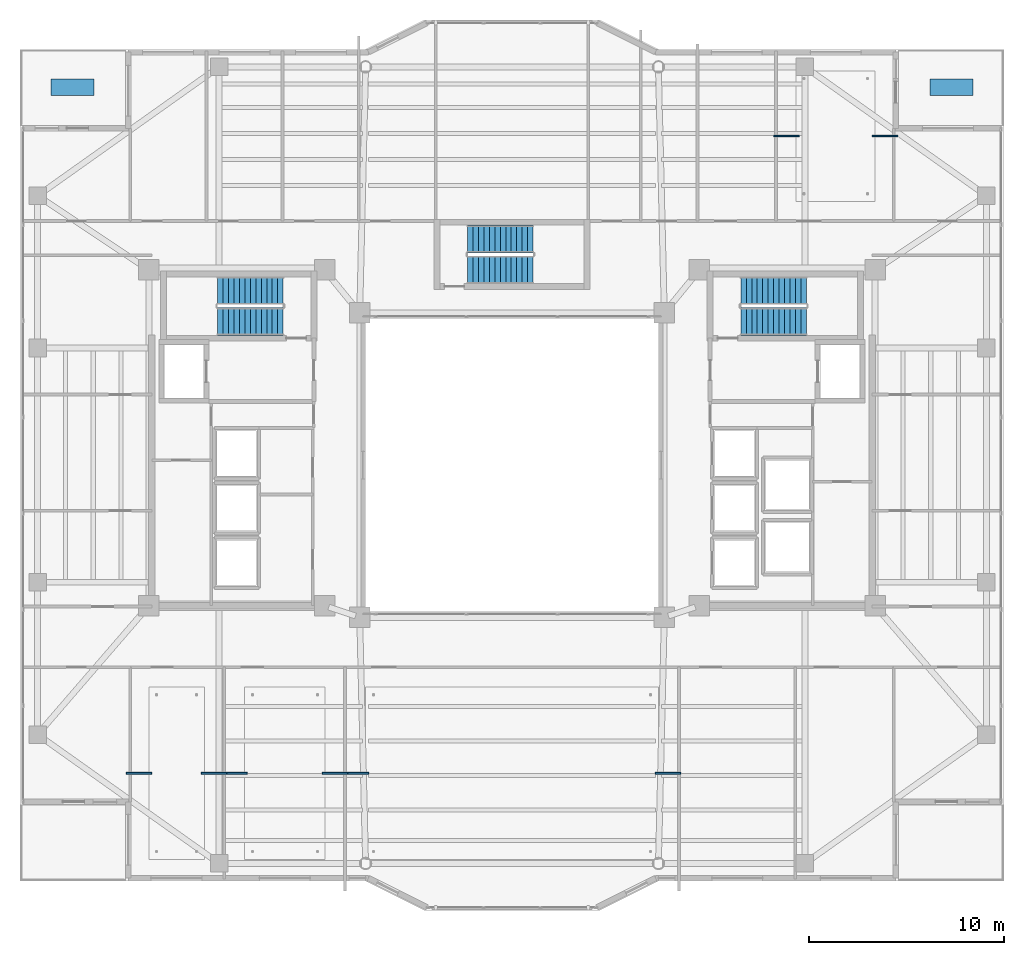
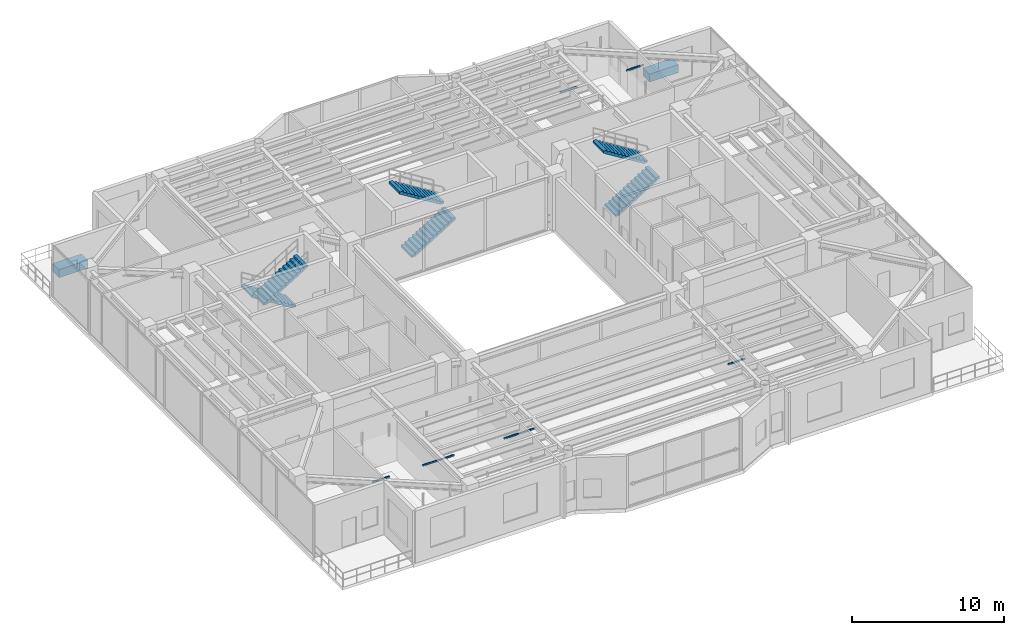
# One storey, part 27 of 33: 10 discrete accessories, 6 stair flights, 3 elements without a shape of their own.
"""IFC4 building model written with IfcOpenShell, lengths in metres."""

from ifc_helpers import new_model, si_unit, direction, frame, origin, origin_2d, place, context, subcontext, project, spatial, polyline, rectangle, outline, extrude, material, type_object, element, aggregate, save


model = new_model("IFC4")

# Units and contexts
model_context = context("Model", 3, precision=1e-05, world=origin(), true_north=direction((0.0, 1.0)))
body_context = subcontext(model_context, "Body", "Model", "MODEL_VIEW")
ifc_project = project(units=[si_unit("LENGTHUNIT", "METRE"), si_unit("AREAUNIT", "SQUARE_METRE"), si_unit("VOLUMEUNIT", "CUBIC_METRE"), si_unit("PLANEANGLEUNIT", "RADIAN"), si_unit("MASSUNIT", "GRAM", prefix="KILO")], contexts=[model_context])

# Site, building, storey
site_placement = place(None, origin())
site = spatial("IfcSite", under=ifc_project, at=site_placement, CompositionType="ELEMENT")
building_placement = place(site_placement, origin())
building = spatial("IfcBuilding", under=site, at=building_placement, Name="Tarnavaz Court Tower", CompositionType="ELEMENT")
storey_placement = place(building_placement, frame((0.0, 0.0, 172.800048828125)))
storey = spatial("IfcBuildingStorey", under=building, at=storey_placement, Name="L47", CompositionType="ELEMENT", Elevation=172.800048828125)

# Stair, stair flights
ifc_material_1 = material(Name="Concrete C40/50", Category="concrete")
stair_type = type_object("IfcStairType", Name="ST-TWR-26R", PredefinedType="HALF_TURN_STAIR", material=ifc_material_1)
stair_1_placement = place(storey_placement, origin())
stair_1 = element("IfcStair", 1, at=stair_1_placement, inside=storey, type_object=stair_type, Name="L47 West Core Pressurized Exit Stair ST-W1", PredefinedType="HALF_TURN_STAIR")
stair_flight_type = type_object("IfcStairFlightType", Name="SFL-RC-26R", PredefinedType="STRAIGHT", material=ifc_material_1)
stair_flight_1_placement = place(storey_placement, frame((-11.719970703125, 8.929931640625, 0.0), z_axis=(0.0, 0.0, 1.0), x_axis=(-1.0, 0.0, 0.0)))
stair_flight_1 = element("IfcStairFlight", 2, at=stair_flight_1_placement, type_object=stair_flight_type, Name="ST-W1 flight 1", NumberOfRisers=13, NumberOfTreads=12, PredefinedType="STRAIGHT", RiserHeight=0.173076923, TreadLength=0.28, context=body_context, shape_type="SweptSolid", body=[
    extrude(outline(polyline([(0.0, 0.0), (0.0, 0.173095703125), (0.280029296875, 0.173095703125), (0.280029296875, 0.34619140625), (0.56005859375, 0.34619140625), (0.56005859375, 0.519287109375), (0.840087890625, 0.519287109375), (0.840087890625, 0.6923828125), (1.1201171875, 0.6923828125), (1.1201171875, 0.865478515625), (1.39990234375, 0.865478515625), (1.39990234375, 1.03857421875), (1.679931640625, 1.03857421875), (1.679931640625, 1.21142578125), (1.9599609375, 1.21142578125), (1.9599609375, 1.384521484375), (2.239990234375, 1.384521484375), (2.239990234375, 1.5576171875), (2.52001953125, 1.5576171875), (2.52001953125, 1.730712890625), (2.800048828125, 1.730712890625), (2.800048828125, 1.90380859375), (3.080078125, 1.90380859375), (3.080078125, 2.076904296875), (3.360107421875, 2.076904296875), (3.360107421875, 2.25), (3.360107421875, 1.900634765625), (0.28515625, 0.0), (0.0, 0.0)])), frame((0.0, 0.7099609375, 0.0), z_axis=(0.0, -1.0, 0.0), x_axis=(1.0, 0.0, 0.0)), (0.0, 0.0, 1.0), 1.419921875),
])
stair_flight_2_placement = place(storey_placement, frame((-15.080078125, 7.360107421875, 2.25), z_axis=(0.0, 0.0, 1.0), x_axis=(1.0, 0.0, 0.0)))
stair_flight_2 = element("IfcStairFlight", 3, at=stair_flight_2_placement, type_object=stair_flight_type, Name="ST-W1 flight 2", NumberOfRisers=13, NumberOfTreads=12, PredefinedType="STRAIGHT", RiserHeight=0.173076923, TreadLength=0.28, context=body_context, shape_type="SweptSolid", body=[
    extrude(outline(polyline([(0.0, 0.0), (0.0, 0.173095703125), (0.280029296875, 0.173095703125), (0.280029296875, 0.34619140625), (0.56005859375, 0.34619140625), (0.56005859375, 0.519287109375), (0.840087890625, 0.519287109375), (0.840087890625, 0.6923828125), (1.1201171875, 0.6923828125), (1.1201171875, 0.865478515625), (1.39990234375, 0.865478515625), (1.39990234375, 1.03857421875), (1.679931640625, 1.03857421875), (1.679931640625, 1.21142578125), (1.9599609375, 1.21142578125), (1.9599609375, 1.384521484375), (2.239990234375, 1.384521484375), (2.239990234375, 1.5576171875), (2.52001953125, 1.5576171875), (2.52001953125, 1.730712890625), (2.800048828125, 1.730712890625), (2.800048828125, 1.90380859375), (3.080078125, 1.90380859375), (3.080078125, 2.076904296875), (3.360107421875, 2.076904296875), (3.360107421875, 2.25), (3.360107421875, 1.900634765625), (0.28515625, 0.0), (0.0, 0.0)])), frame((0.0, 0.7099609375, 0.0), z_axis=(0.0, -1.0, 0.0), x_axis=(1.0, 0.0, 0.0)), (0.0, 0.0, 1.0), 1.419921875),
])
aggregate(stair_1, [stair_flight_1, stair_flight_2])

stair_2_placement = place(storey_placement, origin())
stair_2 = element("IfcStair", 4, at=stair_2_placement, inside=storey, type_object=stair_type, Name="L47 East Core Pressurized Exit Stair ST-E1", PredefinedType="HALF_TURN_STAIR")
stair_flight_3_placement = place(storey_placement, frame((11.719970703125, 7.360107421875, 0.0), z_axis=(0.0, 0.0, 1.0), x_axis=(1.0, 0.0, 0.0)))
stair_flight_3 = element("IfcStairFlight", 5, at=stair_flight_3_placement, type_object=stair_flight_type, Name="ST-E1 flight 1", NumberOfRisers=13, NumberOfTreads=12, PredefinedType="STRAIGHT", RiserHeight=0.173076923, TreadLength=0.28, context=body_context, shape_type="SweptSolid", body=[
    extrude(outline(polyline([(0.0, 0.0), (0.0, 0.173095703125), (0.280029296875, 0.173095703125), (0.280029296875, 0.34619140625), (0.56005859375, 0.34619140625), (0.56005859375, 0.519287109375), (0.840087890625, 0.519287109375), (0.840087890625, 0.6923828125), (1.1201171875, 0.6923828125), (1.1201171875, 0.865478515625), (1.39990234375, 0.865478515625), (1.39990234375, 1.03857421875), (1.679931640625, 1.03857421875), (1.679931640625, 1.21142578125), (1.9599609375, 1.21142578125), (1.9599609375, 1.384521484375), (2.239990234375, 1.384521484375), (2.239990234375, 1.5576171875), (2.52001953125, 1.5576171875), (2.52001953125, 1.730712890625), (2.800048828125, 1.730712890625), (2.800048828125, 1.90380859375), (3.080078125, 1.90380859375), (3.080078125, 2.076904296875), (3.360107421875, 2.076904296875), (3.360107421875, 2.25), (3.360107421875, 1.900634765625), (0.28515625, 0.0), (0.0, 0.0)])), frame((0.0, 0.7099609375, 0.0), z_axis=(0.0, -1.0, 0.0), x_axis=(1.0, 0.0, 0.0)), (0.0, 0.0, 1.0), 1.419921875),
])
stair_flight_4_placement = place(storey_placement, frame((15.080078125, 8.929931640625, 2.25), z_axis=(0.0, 0.0, 1.0), x_axis=(-1.0, 0.0, 0.0)))
stair_flight_4 = element("IfcStairFlight", 6, at=stair_flight_4_placement, type_object=stair_flight_type, Name="ST-E1 flight 2", NumberOfRisers=13, NumberOfTreads=12, PredefinedType="STRAIGHT", RiserHeight=0.173076923, TreadLength=0.28, context=body_context, shape_type="SweptSolid", body=[
    extrude(outline(polyline([(0.0, 0.0), (0.0, 0.173095703125), (0.280029296875, 0.173095703125), (0.280029296875, 0.34619140625), (0.56005859375, 0.34619140625), (0.56005859375, 0.519287109375), (0.840087890625, 0.519287109375), (0.840087890625, 0.6923828125), (1.1201171875, 0.6923828125), (1.1201171875, 0.865478515625), (1.39990234375, 0.865478515625), (1.39990234375, 1.03857421875), (1.679931640625, 1.03857421875), (1.679931640625, 1.21142578125), (1.9599609375, 1.21142578125), (1.9599609375, 1.384521484375), (2.239990234375, 1.384521484375), (2.239990234375, 1.5576171875), (2.52001953125, 1.5576171875), (2.52001953125, 1.730712890625), (2.800048828125, 1.730712890625), (2.800048828125, 1.90380859375), (3.080078125, 1.90380859375), (3.080078125, 2.076904296875), (3.360107421875, 2.076904296875), (3.360107421875, 2.25), (3.360107421875, 1.900634765625), (0.28515625, 0.0), (0.0, 0.0)])), frame((0.0, 0.7099609375, 0.0), z_axis=(0.0, -1.0, 0.0), x_axis=(1.0, 0.0, 0.0)), (0.0, 0.0, 1.0), 1.419921875),
])
aggregate(stair_2, [stair_flight_3, stair_flight_4])

stair_3_placement = place(storey_placement, origin())
stair_3 = element("IfcStair", 7, at=stair_3_placement, inside=storey, type_object=stair_type, Name="L47 North Ring Pressurized Exit Stair ST-N1", PredefinedType="HALF_TURN_STAIR")
stair_flight_5_placement = place(storey_placement, frame((-2.280029296875, 10.010009765625, 0.0), z_axis=(0.0, 0.0, 1.0), x_axis=(1.0, 0.0, 0.0)))
stair_flight_5 = element("IfcStairFlight", 8, at=stair_flight_5_placement, type_object=stair_flight_type, Name="ST-N1 flight 1", NumberOfRisers=13, NumberOfTreads=12, PredefinedType="STRAIGHT", RiserHeight=0.173076923, TreadLength=0.28, context=body_context, shape_type="SweptSolid", body=[
    extrude(outline(polyline([(0.0, 0.0), (0.0, 0.173095703125), (0.280029296875, 0.173095703125), (0.280029296875, 0.34619140625), (0.56005859375, 0.34619140625), (0.56005859375, 0.519287109375), (0.840087890625, 0.519287109375), (0.840087890625, 0.6923828125), (1.1201171875, 0.6923828125), (1.1201171875, 0.865478515625), (1.39990234375, 0.865478515625), (1.39990234375, 1.03857421875), (1.679931640625, 1.03857421875), (1.679931640625, 1.21142578125), (1.9599609375, 1.21142578125), (1.9599609375, 1.384521484375), (2.239990234375, 1.384521484375), (2.239990234375, 1.5576171875), (2.52001953125, 1.5576171875), (2.52001953125, 1.730712890625), (2.800048828125, 1.730712890625), (2.800048828125, 1.90380859375), (3.080078125, 1.90380859375), (3.080078125, 2.076904296875), (3.360107421875, 2.076904296875), (3.360107421875, 2.25), (3.360107421875, 1.900634765625), (0.28515625, 0.0), (0.0, 0.0)])), frame((0.0, 0.7099609375, 0.0), z_axis=(0.0, -1.0, 0.0), x_axis=(1.0, 0.0, 0.0)), (0.0, 0.0, 1.0), 1.419921875),
])
stair_flight_6_placement = place(storey_placement, frame((1.080078125, 11.580078125, 2.25), z_axis=(0.0, 0.0, 1.0), x_axis=(-1.0, 0.0, 0.0)))
stair_flight_6 = element("IfcStairFlight", 9, at=stair_flight_6_placement, type_object=stair_flight_type, Name="ST-N1 flight 2", NumberOfRisers=13, NumberOfTreads=12, PredefinedType="STRAIGHT", RiserHeight=0.173076923, TreadLength=0.28, context=body_context, shape_type="SweptSolid", body=[
    extrude(outline(polyline([(0.0, 0.0), (0.0, 0.173095703125), (0.280029296875, 0.173095703125), (0.280029296875, 0.34619140625), (0.56005859375, 0.34619140625), (0.56005859375, 0.519287109375), (0.840087890625, 0.519287109375), (0.840087890625, 0.6923828125), (1.1201171875, 0.6923828125), (1.1201171875, 0.865478515625), (1.39990234375, 0.865478515625), (1.39990234375, 1.03857421875), (1.679931640625, 1.03857421875), (1.679931640625, 1.21142578125), (1.9599609375, 1.21142578125), (1.9599609375, 1.384521484375), (2.239990234375, 1.384521484375), (2.239990234375, 1.5576171875), (2.52001953125, 1.5576171875), (2.52001953125, 1.730712890625), (2.800048828125, 1.730712890625), (2.800048828125, 1.90380859375), (3.080078125, 1.90380859375), (3.080078125, 2.076904296875), (3.360107421875, 2.076904296875), (3.360107421875, 2.25), (3.360107421875, 1.900634765625), (0.28515625, 0.0), (0.0, 0.0)])), frame((0.0, 0.7099609375, 0.0), z_axis=(0.0, -1.0, 0.0), x_axis=(1.0, 0.0, 0.0)), (0.0, 0.0, 1.0), 1.419921875),
])
aggregate(stair_3, [stair_flight_5, stair_flight_6])

# Discrete accessories
ifc_material_2 = material(Name="Anodised Aluminium 6063-T6", Category="aluminium")
discrete_accessory_type_1 = type_object("IfcDiscreteAccessoryType", Name="DA-BRKT-ALU", PredefinedType="BRACKET", material=ifc_material_2)
for number, where, z_axis, x_axis, name in (
    (10, (14.050048828125, 16.85009765625, 3.202392578125), (0.0, 0.0, 1.0), (1.0, 0.0, 0.0), "L47 Ceiling Perimeter Wall-Tie Bracket 01-1"),
    (11, (19.10009765625, 16.85009765625, 3.202392578125), (0.0, 0.0, 1.0), (1.0, 0.0, 0.0), "L47 Ceiling Perimeter Wall-Tie Bracket 01-2"),
    (12, (-19.10009765625, -15.780029296875, 3.202392578125), (0.0, 0.0, 1.0), (1.0, 0.0, 0.0), "L47 Ceiling Perimeter Wall-Tie Bracket 02-1"),
    (13, (-15.261962890625, -15.780029296875, 3.202392578125), (0.0, 0.0, 1.0), (1.0, 0.0, 0.0), "L47 Ceiling Perimeter Wall-Tie Bracket 02-2"),
    (14, (-14.201904296875, -15.780029296875, 3.202392578125), (0.0, 0.0, 1.0), (1.0, 0.0, 0.0), "L47 Ceiling Perimeter Wall-Tie Bracket 03-1"),
    (15, (-9.070068359375, -15.780029296875, 3.202392578125), (0.0, 0.0, 1.0), (1.0, 0.0, 0.0), "L47 Ceiling Perimeter Wall-Tie Bracket 03-2"),
    (16, (-8.0, -15.780029296875, 3.202392578125), (0.0, 0.0, 1.0), (1.0, 0.0, 0.0), "L47 Ceiling Perimeter Wall-Tie Bracket 04-1"),
    (17, (8.0, -15.780029296875, 3.202392578125), (0.0, 0.0, 1.0), (1.0, 0.0, 0.0), "L47 Ceiling Perimeter Wall-Tie Bracket 04-2"),
):
    element("IfcDiscreteAccessory", number, at=place(storey_placement, frame(where, z_axis=z_axis, x_axis=x_axis)), inside=storey, type_object=discrete_accessory_type_1, Name=name, PredefinedType="BRACKET", context=body_context, shape_type="SweptSolid", body=[
        extrude(rectangle(XDim=1.300048828125, YDim=0.080078125, at=origin_2d()), origin(), (0.0, 0.0, 1.0), 0.080078125),
    ])
ifc_material_3 = material(Name="Terracotta Architectural Planter Trough", Category="masonry")
discrete_accessory_type_2 = type_object("IfcDiscreteAccessoryType", Name="DA-PLANTER-TC", PredefinedType="USERDEFINED", material=ifc_material_3)
for number, where, z_axis, x_axis, name in (
    (18, (22.5, 19.35009765625, 0.0), (0.0, 0.0, 1.0), (1.0, 0.0, 0.0), "L47 Chahar-Bagh Terracotta Landscape Planter 1"),
    (19, (-22.5, 19.35009765625, 0.0), (0.0, 0.0, 1.0), (1.0, 0.0, 0.0), "L47 Chahar-Bagh Terracotta Landscape Planter 2"),
):
    element("IfcDiscreteAccessory", number, at=place(storey_placement, frame(where, z_axis=z_axis, x_axis=x_axis)), inside=storey, type_object=discrete_accessory_type_2, Name=name, ObjectType="PLANTER", PredefinedType="USERDEFINED", context=body_context, shape_type="SweptSolid", body=[
        extrude(rectangle(XDim=2.199951171875, YDim=0.85009765625, at=origin_2d()), origin(), (0.0, 0.0, 1.0), 0.64990234375),
    ])

save(model, "model.ifc")
